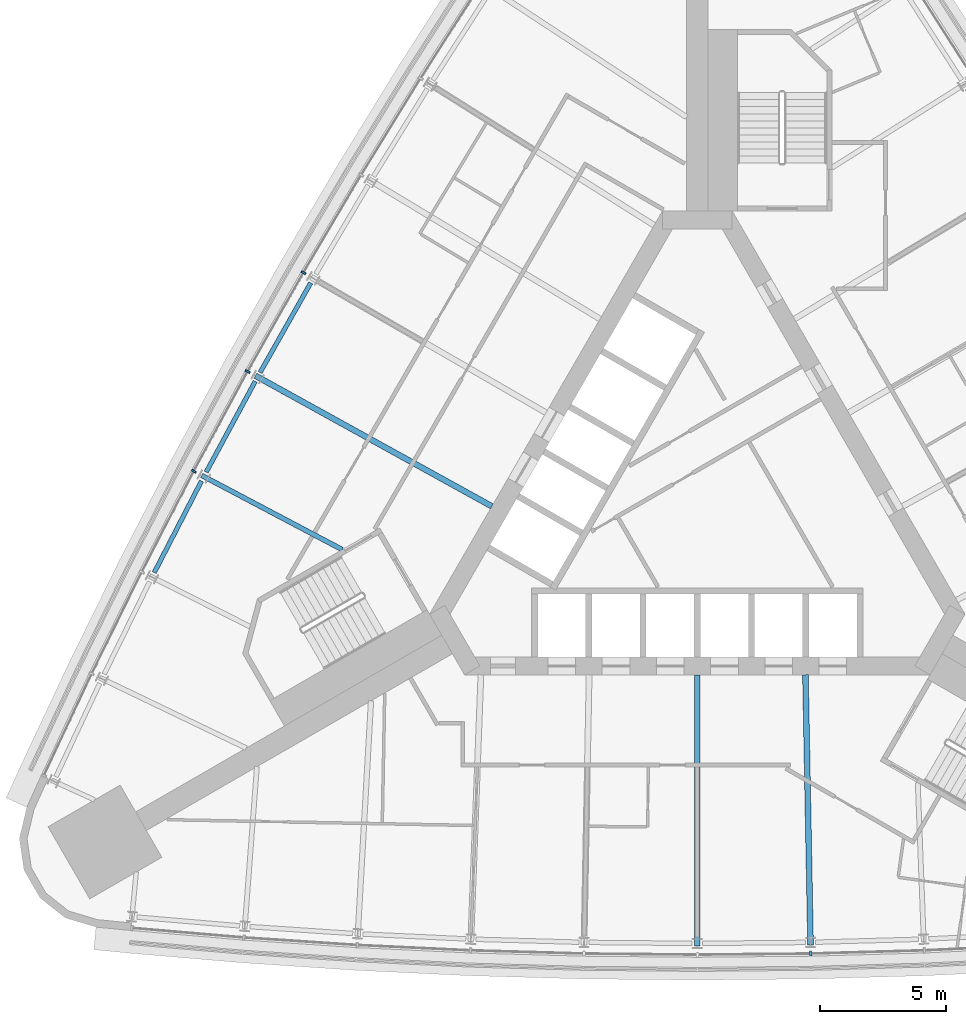
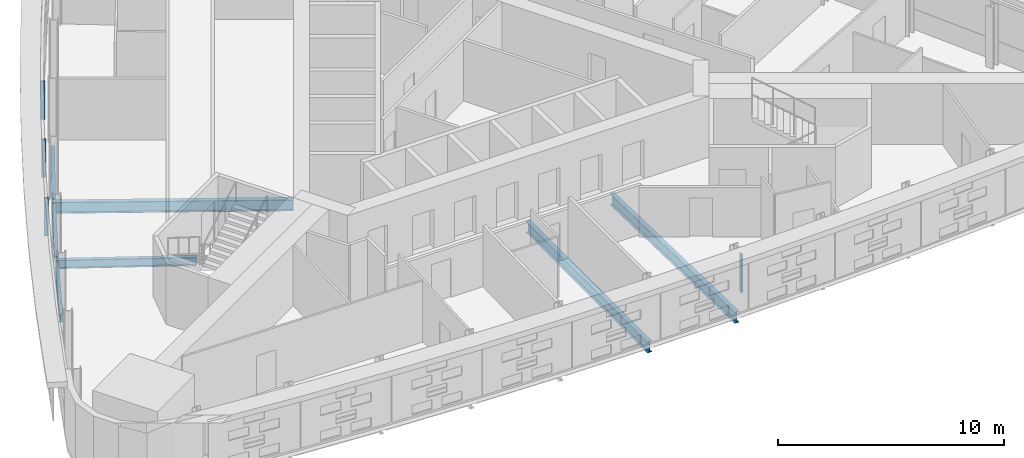
# One storey, part 4 of 15: 7 beams, 4 members, 2 elements without a shape of their own.
"""IFC4 building model written with IfcOpenShell, lengths in metres."""

from ifc_helpers import new_model, si_unit, direction, frame, origin, origin_2d, place, context, subcontext, project, spatial, rectangle, i_section, extrude, material, material_profile, profile_set, type_object, element, aggregate, save


model = new_model("IFC4")

# Units and contexts
model_context = context("Model", 3, precision=1e-05, world=origin(), true_north=direction((0.0, 1.0)))
body_context = subcontext(model_context, "Body", "Model", "MODEL_VIEW")
ifc_project = project(units=[si_unit("LENGTHUNIT", "METRE"), si_unit("AREAUNIT", "SQUARE_METRE"), si_unit("VOLUMEUNIT", "CUBIC_METRE"), si_unit("PLANEANGLEUNIT", "RADIAN"), si_unit("MASSUNIT", "GRAM", prefix="KILO")], contexts=[model_context])

# Site, building, storey
site_placement = place(None, origin())
site = spatial("IfcSite", under=ifc_project, at=site_placement, CompositionType="ELEMENT")
building_placement = place(site_placement, origin())
building = spatial("IfcBuilding", under=site, at=building_placement, Name="Noor Cloister Tower", CompositionType="ELEMENT")
storey_placement = place(building_placement, frame((0.0, 0.0, 49.199951171875)))
storey = spatial("IfcBuildingStorey", under=building, at=storey_placement, Name="L12", CompositionType="ELEMENT", Elevation=49.199951171875)

# Curtain wall, members
ifc_material_1 = material(Name="Aluminium 6063-T6 anodised", Category="aluminium")
curtain_wall_type = type_object("IfcCurtainWallType", Name="Ribbon curtain wall, lower tower CW1", PredefinedType="NOTDEFINED", material=ifc_material_1)
curtain_wall_1_placement = place(storey_placement, origin())
curtain_wall_1 = element("IfcCurtainWall", 1, at=curtain_wall_1_placement, inside=storey, type_object=curtain_wall_type, Name="CW1 L12 NW run 1", PredefinedType="NOTDEFINED")
ifc_material_2 = material(Name="Aluminium 6063-T6 anodised", Category="aluminium")
ifc_material_profile_1 = material_profile(ifc_material_2, rectangle(XDim=0.199951171875, YDim=0.080078125, at=origin_2d()), Name="200 x 80 mullion")
ifc_profile_set_1 = profile_set([ifc_material_profile_1], Name="Aluminium 6063-T6 anodised")
member_type = type_object("IfcMemberType", Name="Mullion CW1 80 x 200", PredefinedType="MULLION", material=ifc_profile_set_1)
member_1_placement = place(storey_placement, frame((-15.615478515625, 9.015625, 1.10009765625), z_axis=(0.0, 0.0, 1.0), x_axis=(0.866025403784, -0.5, 0.0)))
member_1 = element("IfcMember", 2, at=member_1_placement, type_object=member_type, Name="CW1 mullion 6", PredefinedType="MULLION", context=body_context, shape_type="SweptSolid", body=[
    extrude(rectangle(XDim=0.199951171875, YDim=0.080078125, at=origin_2d()), origin(), (0.0, 0.0, 1.0), 2.050048828125),
])
member_2_placement = place(storey_placement, frame((-17.82763671875, 5.09912109375, 1.10009765625), z_axis=(0.0, 0.0, 1.0), x_axis=(0.875327855572, -0.48352988042, 0.0)))
member_2 = element("IfcMember", 3, at=member_2_placement, type_object=member_type, Name="CW1 mullion 7", PredefinedType="MULLION", context=body_context, shape_type="SweptSolid", body=[
    extrude(rectangle(XDim=0.199951171875, YDim=0.080078125, at=origin_2d()), origin(), (0.0, 0.0, 1.0), 2.050048828125),
])
member_3_placement = place(storey_placement, frame((-19.965087890625, 1.141357421875, 1.10009765625), z_axis=(0.0, 0.0, 1.0), x_axis=(0.884317114661, -0.466886753632, 0.0)))
member_3 = element("IfcMember", 4, at=member_3_placement, type_object=member_type, Name="CW1 mullion 8", PredefinedType="MULLION", context=body_context, shape_type="SweptSolid", body=[
    extrude(rectangle(XDim=0.199951171875, YDim=0.080078125, at=origin_2d()), origin(), (0.0, 0.0, 1.0), 2.050048828125),
])
aggregate(curtain_wall_1, [member_1, member_2, member_3])

# Curtain wall, member
curtain_wall_2_placement = place(storey_placement, origin())
curtain_wall_2 = element("IfcCurtainWall", 5, at=curtain_wall_2_placement, inside=storey, type_object=curtain_wall_type, Name="CW1 L12 S run 2", PredefinedType="NOTDEFINED")
member_4_placement = place(storey_placement, frame((4.497802734375, -17.988525390625, 1.10009765625), z_axis=(0.0, 0.0, 1.0), x_axis=(-0.018914767854, 0.999821099776, 0.0)))
member_4 = element("IfcMember", 6, at=member_4_placement, type_object=member_type, Name="CW1 mullion 7", PredefinedType="MULLION", context=body_context, shape_type="SweptSolid", body=[
    extrude(rectangle(XDim=0.199951171875, YDim=0.080078125, at=origin_2d()), origin(), (0.0, 0.0, 1.0), 2.050048828125),
])
aggregate(curtain_wall_2, [member_4])

# Beams
ifc_material_3 = material(Name="Steel ASTM A992 Gr 50", Category="steel")
ifc_material_profile_2 = material_profile(ifc_material_3, i_section(OverallWidth=0.19091796875, OverallDepth=0.45703125, WebThickness=0.009033203125, FlangeThickness=0.014404296875, FilletRadius=0.01025390625, at=origin_2d()), Name="W460x74")
ifc_profile_set_2 = profile_set([ifc_material_profile_2], Name="Steel ASTM A992 Gr 50")
beam_type_1 = type_object("IfcBeamType", Name="Radial beam W460x74", PredefinedType="BEAM", material=ifc_profile_set_2)
beam_1_placement = place(storey_placement, frame((-19.653076171875, 0.9765625, -0.428466796875), z_axis=(0.884326132402, -0.466869672983, 0.0), x_axis=(0.466869672983, 0.884326132402, 0.0)))
element("IfcBeam", 7, at=beam_1_placement, inside=storey, type_object=beam_type_1, Name="Radial beam NW 08 L12", PredefinedType="BEAM", context=body_context, shape_type="SweptSolid", body=[
    extrude(i_section(OverallWidth=0.19091796875, OverallDepth=0.45703125, WebThickness=0.009033203125, FlangeThickness=0.014404296875, FilletRadius=0.01025390625, at=origin_2d()), origin(), (0.0, 0.0, 1.0), 6.304443359375),
])
ifc_material_4 = material(Name="Steel ASTM A992 Gr 50", Category="steel")
ifc_material_profile_3 = material_profile(ifc_material_4, i_section(OverallWidth=0.22802734375, OverallDepth=0.60205078125, WebThickness=0.010498046875, FlangeThickness=0.014892578125, FilletRadius=0.0126953125, at=origin_2d()), Name="W610x101")
ifc_profile_set_3 = profile_set([ifc_material_profile_3], Name="Steel ASTM A992 Gr 50")
beam_type_2 = type_object("IfcBeamType", Name="Radial beam W610x101", PredefinedType="BEAM", material=ifc_profile_set_3)
beam_2_placement = place(storey_placement, frame((-17.5185546875, 4.928466796875, -0.5009765625), z_axis=(0.875322538909, -0.483539504982, 0.0), x_axis=(0.483539504982, 0.875322538909, 0.0)))
element("IfcBeam", 8, at=beam_2_placement, inside=storey, type_object=beam_type_2, Name="Radial beam NW 07 L12", PredefinedType="BEAM", context=body_context, shape_type="SweptSolid", body=[
    extrude(i_section(OverallWidth=0.22802734375, OverallDepth=0.60205078125, WebThickness=0.010498046875, FlangeThickness=0.014892578125, FilletRadius=0.0126953125, at=origin_2d()), origin(), (0.0, 0.0, 1.0), 10.70947265625),
])
beam_3_placement = place(storey_placement, frame((0.0, -17.67822265625, -0.5009765625), z_axis=(0.0, 1.0, 0.0), x_axis=(-1.0, 0.0, 0.0)))
element("IfcBeam", 9, at=beam_3_placement, inside=storey, type_object=beam_type_2, Name="Radial beam S 06 L12", PredefinedType="BEAM", context=body_context, shape_type="SweptSolid", body=[
    extrude(i_section(OverallWidth=0.22802734375, OverallDepth=0.60205078125, WebThickness=0.010498046875, FlangeThickness=0.014892578125, FilletRadius=0.0126953125, at=origin_2d()), origin(), (0.0, 0.0, 1.0), 10.75),
])
beam_4_placement = place(storey_placement, frame((4.4912109375, -17.6357421875, -0.5009765625), z_axis=(-0.018921323587, 0.999820975732, 0.0), x_axis=(-0.999820975732, -0.018921323587, 0.0)))
element("IfcBeam", 10, at=beam_4_placement, inside=storey, type_object=beam_type_2, Name="Radial beam S 07 L12", PredefinedType="BEAM", context=body_context, shape_type="SweptSolid", body=[
    extrude(i_section(OverallWidth=0.22802734375, OverallDepth=0.60205078125, WebThickness=0.010498046875, FlangeThickness=0.014892578125, FilletRadius=0.0126953125, at=origin_2d()), origin(), (0.0, 0.0, 1.0), 10.70947265625),
])
ifc_material_5 = material(Name="Steel ASTM A992 Gr 50", Category="steel")
ifc_material_profile_4 = material_profile(ifc_material_5, i_section(OverallWidth=0.177978515625, OverallDepth=0.406005859375, WebThickness=0.0078125, FlangeThickness=0.0126953125, FilletRadius=0.01025390625, at=origin_2d()), Name="W410x60")
ifc_profile_set_4 = profile_set([ifc_material_profile_4], Name="Steel ASTM A992 Gr 50")
beam_type_3 = type_object("IfcBeamType", Name="Spandrel beam W410x60", PredefinedType="SPANDREL", material=ifc_profile_set_4)
beam_5_placement = place(storey_placement, frame((-15.3251953125, 8.61474609375, -0.40283203125), z_axis=(-0.49175004503, -0.870736408572, 0.0), x_axis=(0.870736408572, -0.49175004503, 0.0)))
element("IfcBeam", 11, at=beam_5_placement, inside=storey, type_object=beam_type_3, Name="Spandrel beam NW 06 L12", PredefinedType="SPANDREL", context=body_context, shape_type="SweptSolid", body=[
    extrude(i_section(OverallWidth=0.177978515625, OverallDepth=0.406005859375, WebThickness=0.0078125, FlangeThickness=0.0126953125, FilletRadius=0.01025390625, at=origin_2d()), origin(), (0.0, 0.0, 1.0), 4.08544921875),
])
beam_6_placement = place(storey_placement, frame((-17.529541015625, 4.703857421875, -0.40283203125), z_axis=(-0.47524329356, -0.879854426554, 0.0), x_axis=(0.879854426554, -0.47524329356, 0.0)))
element("IfcBeam", 12, at=beam_6_placement, inside=storey, type_object=beam_type_3, Name="Spandrel beam NW 07 L12", PredefinedType="SPANDREL", context=body_context, shape_type="SweptSolid", body=[
    extrude(i_section(OverallWidth=0.177978515625, OverallDepth=0.406005859375, WebThickness=0.0078125, FlangeThickness=0.0126953125, FilletRadius=0.01025390625, at=origin_2d()), origin(), (0.0, 0.0, 1.0), 4.085693359375),
])
beam_7_placement = place(storey_placement, frame((-19.659912109375, 0.751708984375, -0.40283203125), z_axis=(-0.458484598021, -0.888702353647, 0.0), x_axis=(0.888702353647, -0.458484598021, 0.0)))
element("IfcBeam", 13, at=beam_7_placement, inside=storey, type_object=beam_type_3, Name="Spandrel beam NW 08 L12", PredefinedType="SPANDREL", context=body_context, shape_type="SweptSolid", body=[
    extrude(i_section(OverallWidth=0.177978515625, OverallDepth=0.406005859375, WebThickness=0.0078125, FlangeThickness=0.0126953125, FilletRadius=0.01025390625, at=origin_2d()), origin(), (0.0, 0.0, 1.0), 4.085205078125),
])

save(model, "model.ifc")
